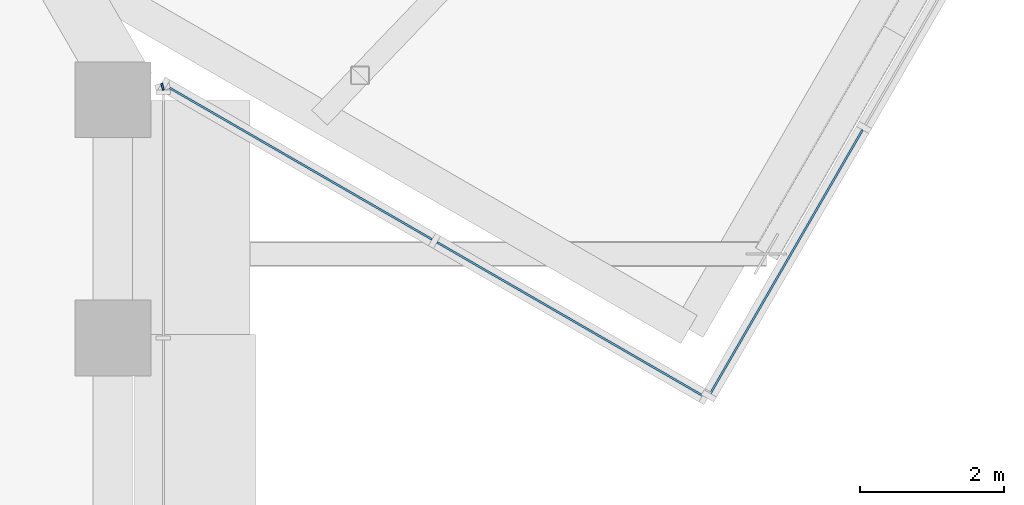
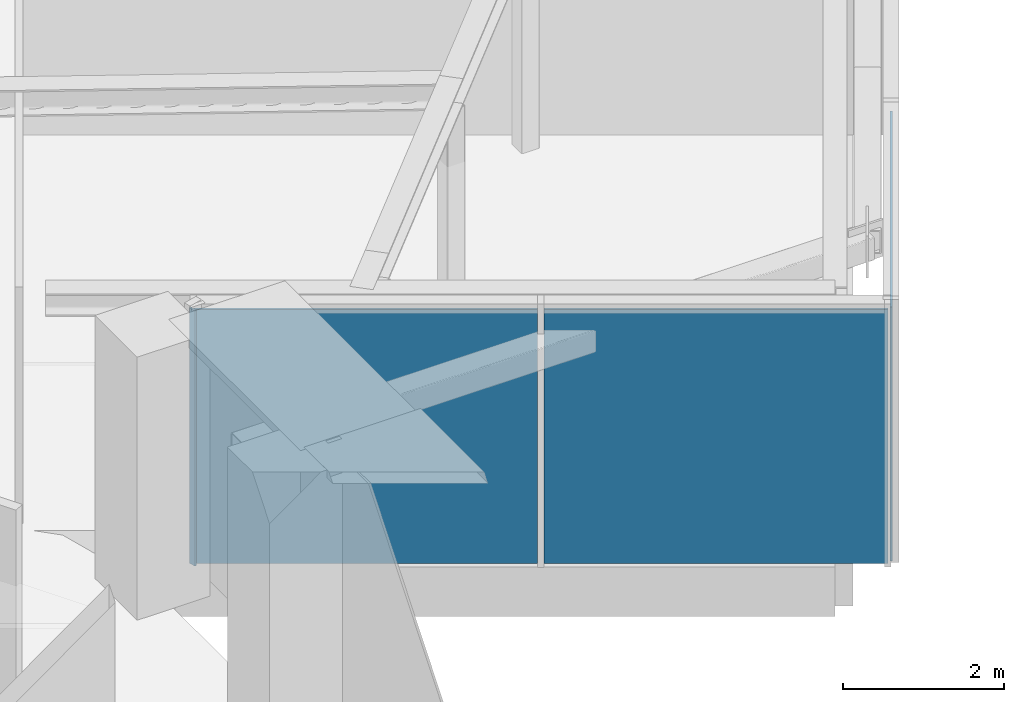
# One storey, part 15 of 28: 4 plates, 3 elements without a shape of their own.
"""IFC4 building model written with IfcOpenShell, lengths in metres."""

from ifc_helpers import new_model, si_unit, direction, frame, origin, origin_2d, place, context, subcontext, project, spatial, rectangle, extrude, material, layer, layer_set, type_object, element, aggregate, save


model = new_model("IFC4")

# Units and contexts
model_context = context("Model", 3, precision=1e-05, world=origin(), true_north=direction((0.0, 1.0)))
body_context = subcontext(model_context, "Body", "Model", "MODEL_VIEW")
ifc_project = project(units=[si_unit("LENGTHUNIT", "METRE"), si_unit("AREAUNIT", "SQUARE_METRE"), si_unit("VOLUMEUNIT", "CUBIC_METRE"), si_unit("PLANEANGLEUNIT", "RADIAN"), si_unit("MASSUNIT", "GRAM", prefix="KILO")], contexts=[model_context])

# Site, building, storey
site_placement = place(None, origin())
site = spatial("IfcSite", under=ifc_project, at=site_placement, CompositionType="ELEMENT")
building_placement = place(site_placement, origin())
building = spatial("IfcBuilding", under=site, at=building_placement, Name="Ayvan Gate Tower", CompositionType="ELEMENT")
storey_placement = place(building_placement, frame((0.0, 0.0, 143.89990234375)))
storey = spatial("IfcBuildingStorey", under=building, at=storey_placement, Name="L38", CompositionType="ELEMENT", Elevation=143.89990234375)

# Curtain wall, plates
ifc_material_1 = material(Name="Bronze anodised aluminium", Category="aluminium")
ifc_layer_1 = layer(ifc_material_1, 0.199951171875)
ifc_layer_set_1 = layer_set([ifc_layer_1], Name="Bronze anodised aluminium")
curtain_wall_type_1 = type_object("IfcCurtainWallType", Name="Stick curtain wall CW-4", PredefinedType="NOTDEFINED", material=ifc_layer_set_1)
curtain_wall_1_placement = place(storey_placement, origin())
curtain_wall_1 = element("IfcCurtainWall", 1, at=curtain_wall_1_placement, inside=storey, type_object=curtain_wall_type_1, Name="Stick curtain wall CW-4 L38", PredefinedType="NOTDEFINED")
ifc_material_2 = material(Name="Clear low-iron laminated glass", Category="glass")
ifc_layer_2 = layer(ifc_material_2, 0.028076171875)
ifc_layer_set_2 = layer_set([ifc_layer_2], Name="Clear low-iron laminated glass")
plate_type_1 = type_object("IfcPlateType", Name="Stick curtain wall CW-4 glass panel", PredefinedType="CURTAIN_PANEL", material=ifc_layer_set_2)
plate_1_placement = place(storey_placement, frame((22.05029296875, 7.38916015625, 0.0), z_axis=(0.0, 0.0, 1.0), x_axis=(0.866025403784, -0.5, 0.0)))
plate_1 = element("IfcPlate", 2, at=plate_1_placement, type_object=plate_type_1, Name="CW-4 glass panel 1", PredefinedType="CURTAIN_PANEL", context=body_context, shape_type="SweptSolid", body=[
    extrude(rectangle(XDim=4.28564453125, YDim=0.028076171875, at=origin_2d()), origin(), (0.0, 0.0, 1.0), 3.860107421875),
])
ifc_material_3 = material(Name="Pale anodised aluminium composite panel", Category="aluminium")
ifc_layer_3 = layer(ifc_material_3, 0.028076171875)
ifc_layer_set_3 = layer_set([ifc_layer_3], Name="Pale anodised aluminium composite panel")
plate_type_2 = type_object("IfcPlateType", Name="Stick curtain wall CW-4 solid panel", PredefinedType="CURTAIN_PANEL", material=ifc_layer_set_3)
plate_2_placement = place(storey_placement, frame((25.8310546875, 5.206298828125, 0.0), z_axis=(0.0, 0.0, 1.0), x_axis=(0.866025403784, -0.5, 0.0)))
plate_2 = element("IfcPlate", 3, at=plate_2_placement, type_object=plate_type_2, Name="CW-4 solid panel 2", PredefinedType="CURTAIN_PANEL", context=body_context, shape_type="SweptSolid", body=[
    extrude(rectangle(XDim=4.28564453125, YDim=0.028076171875, at=origin_2d()), origin(), (0.0, 0.0, 1.0), 3.860107421875),
])
aggregate(curtain_wall_1, [plate_1, plate_2])

# Curtain wall, plate
curtain_wall_2_placement = place(storey_placement, origin())
curtain_wall_2 = element("IfcCurtainWall", 4, at=curtain_wall_2_placement, inside=storey, type_object=curtain_wall_type_1, Name="Stick curtain wall CW-4 L38", PredefinedType="NOTDEFINED")
plate_3_placement = place(storey_placement, frame((28.80517578125, 5.991943359375, 0.0), z_axis=(0.0, 0.0, 1.0), x_axis=(0.5, 0.866025403784, 0.0)))
plate_3 = element("IfcPlate", 5, at=plate_3_placement, type_object=plate_type_2, Name="CW-4 solid panel 1", PredefinedType="CURTAIN_PANEL", context=body_context, shape_type="SweptSolid", body=[
    extrude(rectangle(XDim=4.2548828125, YDim=0.028076171875, at=origin_2d()), origin(), (0.0, 0.0, 1.0), 3.860107421875),
])
aggregate(curtain_wall_2, [plate_3])

ifc_layer_4 = layer(ifc_material_1, 0.199951171875)
ifc_layer_set_4 = layer_set([ifc_layer_4], Name="Bronze anodised aluminium")
curtain_wall_type_2 = type_object("IfcCurtainWallType", Name="Stick curtain wall CW-6", PredefinedType="NOTDEFINED", material=ifc_layer_set_4)
curtain_wall_3_placement = place(storey_placement, origin())
curtain_wall_3 = element("IfcCurtainWall", 6, at=curtain_wall_3_placement, inside=storey, type_object=curtain_wall_type_2, Name="Stick curtain wall CW-6 L38", PredefinedType="NOTDEFINED")
ifc_layer_5 = layer(ifc_material_2, 0.028076171875)
ifc_layer_set_5 = layer_set([ifc_layer_5], Name="Clear low-iron laminated glass")
plate_type_3 = type_object("IfcPlateType", Name="Stick curtain wall CW-6 glass panel", PredefinedType="CURTAIN_PANEL", material=ifc_layer_set_5)
plate_4_placement = place(storey_placement, frame((20.172607421875, 8.4326171875, 0.000244140625), z_axis=(0.0, 0.0, 1.0), x_axis=(-0.258819045103, 0.965925826289, 0.0)))
plate_4 = element("IfcPlate", 7, at=plate_4_placement, type_object=plate_type_3, Name="CW-6 glass panel 1", PredefinedType="CURTAIN_PANEL", context=body_context, shape_type="SweptSolid", body=[
    extrude(rectangle(XDim=0.099365234375, YDim=0.028076171875, at=origin_2d()), origin(), (0.0, 0.0, 1.0), 3.8798828125),
])
aggregate(curtain_wall_3, [plate_4])

save(model, "model.ifc")
